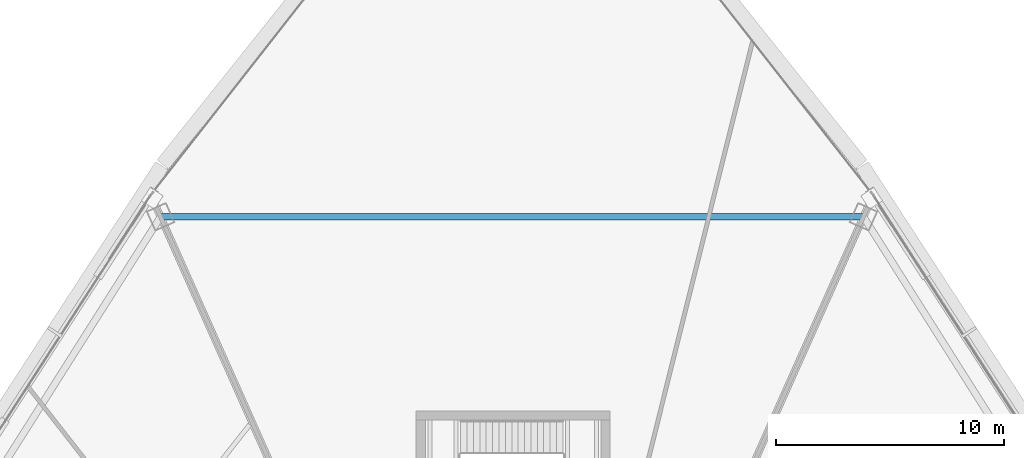
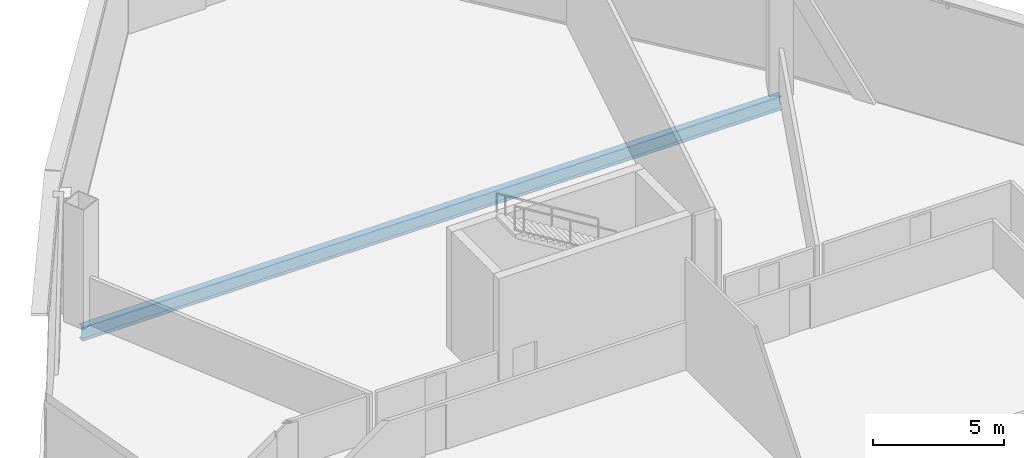
# One storey, part 21 of 40: 1 beam.
"""IFC4 building model written with IfcOpenShell, lengths in metres."""

from ifc_helpers import new_model, si_unit, direction, frame, origin, origin_2d, place, context, subcontext, project, spatial, i_section, extrude, source, transform, mapped, material, material_profile, profile_set, type_object, element, save


model = new_model("IFC4")

# Units and contexts
model_context = context("Model", 3, precision=1e-05, world=origin(), true_north=direction((0.0, 1.0)))
body_context = subcontext(model_context, "Body", "Model", "MODEL_VIEW")
ifc_project = project(units=[si_unit("LENGTHUNIT", "METRE"), si_unit("AREAUNIT", "SQUARE_METRE"), si_unit("VOLUMEUNIT", "CUBIC_METRE"), si_unit("PLANEANGLEUNIT", "RADIAN"), si_unit("MASSUNIT", "GRAM", prefix="KILO"), si_unit("THERMODYNAMICTEMPERATUREUNIT", "KELVIN"), si_unit("POWERUNIT", "WATT")], contexts=[model_context])

# Site, building, storey
site_placement = place(None, origin())
site = spatial("IfcSite", under=ifc_project, at=site_placement, CompositionType="ELEMENT")
building_placement = place(site_placement, origin())
building = spatial("IfcBuilding", under=site, at=building_placement, Name="Yunzhuo Pagoda Commons", CompositionType="ELEMENT")
storey_placement = place(building_placement, frame((0.0, 0.0, 170.31005859375)))
storey = spatial("IfcBuildingStorey", under=building, at=storey_placement, Name="L43", CompositionType="ELEMENT", Elevation=170.31005859375)

# Beam
ifc_material = material(Name="Structural steel Q355B", Category="steel")
ifc_material_profile = material_profile(ifc_material, i_section(OverallWidth=0.300048828125, OverallDepth=0.64990234375, WebThickness=0.012939453125, FlangeThickness=0.02197265625, at=origin_2d()), Name="Structural steel Q355B")
ifc_profile_set = profile_set([ifc_material_profile], Name="Structural steel Q355B")
beam_type = type_object("IfcBeamType", Name="B-RG2 Beam HN 650x300x13x22", PredefinedType="BEAM", material=ifc_profile_set)
shared_shape = source(origin(), body_context, "Body", "SweptSolid", [
    extrude(i_section(OverallWidth=0.300048828125, OverallDepth=0.64990234375, WebThickness=0.012939453125, FlangeThickness=0.02197265625, at=origin_2d()), origin(), (0.0, 0.0, 1.0), 30.81201171875),
])
beam_placement = place(storey_placement, frame((63.406005859375, 68.302734375, -0.5849609375), z_axis=(-1.0, 0.0, 0.0), x_axis=(0.0, -1.0, 0.0)))
element("IfcBeam", 1, at=beam_placement, inside=storey, type_object=beam_type, Name="L43 column-ring beam 8", PredefinedType="BEAM", context=body_context, shape_type="MappedRepresentation", body=[
    mapped(shared_shape, transform((0.0, 0.0, 0.0), scale=1.0)),
])

save(model, "model.ifc")
